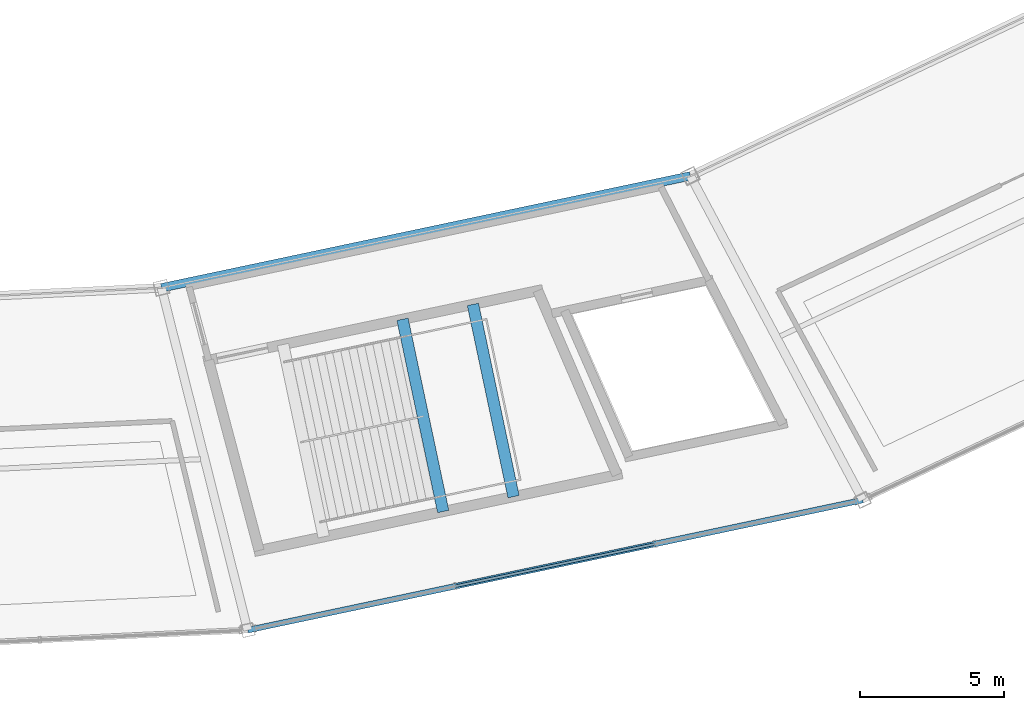
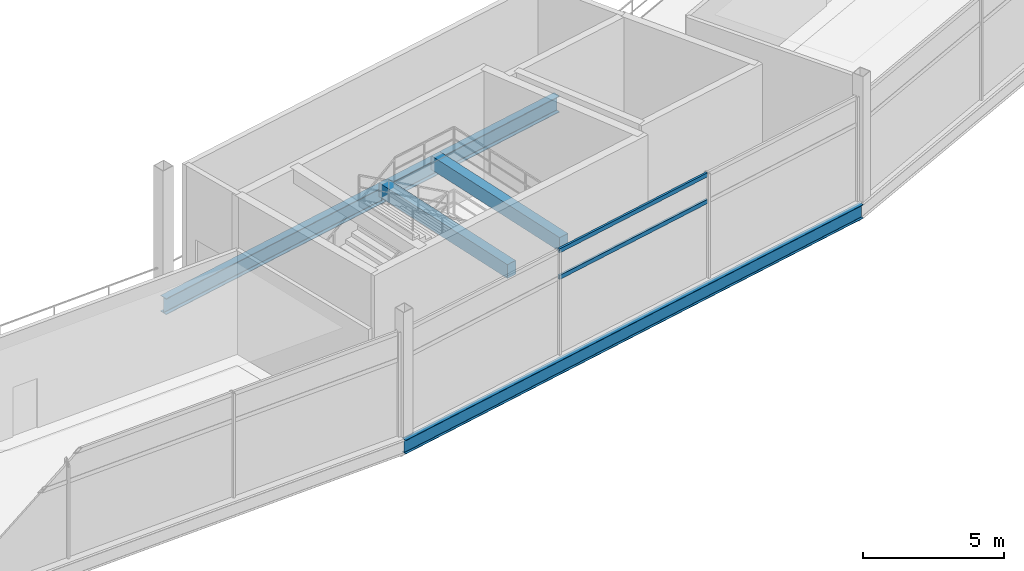
# One storey, part 33 of 103: 4 beams, 2 members, 1 element without a shape of its own.
"""IFC4 building model written with IfcOpenShell, lengths in metres."""

import ifcopenshell
import ifcopenshell.guid

model = None  # the IFC model being written
_history = None  # IfcOwnerHistory: only IFC2X3 demands one
_inside = {}  # id of a spatial element -> (the spatial element, [elements in it])
_under = {}  # id of a project, library or spatial element -> (it, [spatial elements below it])
_declared = {}  # id of a project -> (the project, [libraries it declares])
_typed = {}  # id of a type object -> (the type object, [elements of that type])
_made_of = {}  # id of a material, layer set ... -> (it, [elements and type objects made of it])


def new_model(schema):
    """Start an empty IFC model of exactly this schema.

    Asked for "IFC4X3", IfcOpenShell would pick the latest addendum, in which some entities
    have other attributes; the version numbers below select the first issue.
    IFC2X3 requires an IfcOwnerHistory on every rooted entity: one is made here for all.
    """
    global model, _history
    if schema == "IFC4X3":
        model = ifcopenshell.file(schema_version=(4, 3, 0, 0))
    else:
        model = ifcopenshell.file(schema=schema)
    _inside.clear()
    _under.clear()
    _declared.clear()
    _typed.clear()
    _made_of.clear()
    _history = None
    if model.schema == "IFC2X3":
        org = make("IfcOrganization", Name="unknown")
        user = make(
            "IfcPersonAndOrganization",
            ThePerson=make("IfcPerson", FamilyName="unknown"),
            TheOrganization=org,
        )
        app = make(
            "IfcApplication",
            ApplicationDeveloper=org,
            Version="unknown",
            ApplicationFullName="unknown",
            ApplicationIdentifier="unknown",
        )
        _history = make(
            "IfcOwnerHistory",
            OwningUser=user,
            OwningApplication=app,
            ChangeAction="ADDED",
            CreationDate=0,
        )
    return model


def make(cls, **values):
    """One entity of the class cls with the attributes given. An attribute that is None is left unset."""
    return model.create_entity(
        cls, **{name: value for name, value in values.items() if value is not None}
    )


def rooted(cls, **values):
    """An entity with a GlobalId (a new one), such as an element, a storey or a relation."""
    return make(cls, GlobalId=ifcopenshell.guid.new(), OwnerHistory=_history, **values)


def si_unit(unit_type, name, prefix=None):
    """IfcSIUnit, for example si_unit("LENGTHUNIT", "METRE", prefix="MILLI")."""
    return make("IfcSIUnit", UnitType=unit_type, Prefix=prefix, Name=name)


def assignment(units):
    """IfcUnitAssignment: the units of a project."""
    return None if units is None else make("IfcUnitAssignment", Units=units)


def point(xyz):
    """IfcCartesianPoint."""
    return None if xyz is None else make("IfcCartesianPoint", Coordinates=xyz)


def direction(xyz):
    """IfcDirection."""
    return None if xyz is None else make("IfcDirection", DirectionRatios=xyz)


def frame(location, z_axis=None, x_axis=None):
    """IfcAxis2Placement3D, a coordinate frame: its origin and axes. An axis left out is left unset."""
    return make(
        "IfcAxis2Placement3D",
        Location=point(location),
        Axis=direction(z_axis),
        RefDirection=direction(x_axis),
    )


def frame_2d(location, x_axis=None):
    """IfcAxis2Placement2D, a coordinate frame in the plane: its origin and x axis."""
    return make(
        "IfcAxis2Placement2D", Location=point(location), RefDirection=direction(x_axis)
    )


def origin():
    """The frame at (0, 0, 0) with its axes left unset."""
    return frame((0.0, 0.0, 0.0))


def origin_2d():
    """The frame at (0, 0) in the plane with its x axis left unset."""
    return frame_2d((0.0, 0.0))


def place(relative_to, where):
    """IfcLocalPlacement: puts the frame where relative to a parent placement (None: the world)."""
    return make(
        "IfcLocalPlacement", PlacementRelTo=relative_to, RelativePlacement=where
    )


def context(
    kind, dimensions, precision=None, world=None, true_north=None, identifier=None
):
    """IfcGeometricRepresentationContext, for example the 3D "Model" context."""
    return make(
        "IfcGeometricRepresentationContext",
        ContextIdentifier=identifier,
        ContextType=kind,
        CoordinateSpaceDimension=dimensions,
        Precision=precision,
        WorldCoordinateSystem=world,
        TrueNorth=true_north,
    )


def subcontext(parent, identifier, kind, view, scale=None):
    """IfcGeometricRepresentationSubContext, for example "Body" below "Model"."""
    return make(
        "IfcGeometricRepresentationSubContext",
        ContextIdentifier=identifier,
        ContextType=kind,
        ParentContext=parent,
        TargetScale=scale,
        TargetView=view,
    )


def project(units=None, contexts=None):
    """IfcProject with its units and contexts."""
    return rooted(
        "IfcProject",
        Name="project",
        RepresentationContexts=contexts,
        UnitsInContext=assignment(units),
    )


def spatial(cls, under=None, at=None, **own):
    """A site, building, storey or space (cls), placed at a placement, below another one or the project."""
    s = rooted(cls, ObjectPlacement=at, **own)
    if under is not None:
        _under.setdefault(under.id(), (under, []))[1].append(s)
    return s


def profile(cls, at=None, kind="AREA", **sizes):
    """A parametric profile (cls). Its sizes go by their IFC names, for example OverallWidth=200.0."""
    return make(cls, ProfileType=kind, Position=at, **sizes)


def rectangle(**sizes):
    """IfcRectangleProfileDef."""
    return profile("IfcRectangleProfileDef", **sizes)


def hollow_rectangle(**sizes):
    """IfcRectangleHollowProfileDef."""
    return profile("IfcRectangleHollowProfileDef", **sizes)


def i_section(**sizes):
    """IfcIShapeProfileDef."""
    return profile("IfcIShapeProfileDef", **sizes)


def extrude(swept, where, along, depth):
    """IfcExtrudedAreaSolid: the profile swept, set in the frame where, extruded along a direction by depth."""
    return make(
        "IfcExtrudedAreaSolid",
        SweptArea=swept,
        Position=where,
        ExtrudedDirection=direction(along),
        Depth=depth,
    )


def shape(context_of_items, identifier, shape_type, items):
    """IfcShapeRepresentation: the items that make up one representation, for example the "Body"."""
    return make(
        "IfcShapeRepresentation",
        ContextOfItems=context_of_items,
        RepresentationIdentifier=identifier,
        RepresentationType=shape_type,
        Items=items,
    )


def material(Name=None, Category=None):
    """IfcMaterial."""
    return make("IfcMaterial", Name=Name, Category=Category)


def layer(
    of_material, thickness, ventilated=None, Name=None, Category=None, Priority=None
):
    """IfcMaterialLayer: one layer of a wall or slab, of a material (None: an air gap)."""
    return make(
        "IfcMaterialLayer",
        Material=of_material,
        LayerThickness=thickness,
        IsVentilated=ventilated,
        Name=Name,
        Category=Category,
        Priority=Priority,
    )


def layer_set(layers, Name=None):
    """IfcMaterialLayerSet."""
    return make("IfcMaterialLayerSet", MaterialLayers=layers, LayerSetName=Name)


def material_profile(
    of_material, cross_section, Name=None, Category=None, Priority=None
):
    """IfcMaterialProfile: a cross section and its material."""
    return make(
        "IfcMaterialProfile",
        Name=Name,
        Material=of_material,
        Profile=cross_section,
        Priority=Priority,
        Category=Category,
    )


def profile_set(profiles, Name=None, composite=None):
    """IfcMaterialProfileSet."""
    return make(
        "IfcMaterialProfileSet",
        Name=Name,
        MaterialProfiles=profiles,
        CompositeProfile=composite,
    )


def made_of(thing, what):
    """Note that an element or type object is made of a material, layer set ...; save() writes the relation."""
    if what is not None:
        _made_of.setdefault(what.id(), (what, []))[1].append(thing)
    return thing


def type_object(cls, material=None, **own):
    """A type object (cls), such as IfcWallType, which elements share."""
    return made_of(rooted(cls, **own), material)


def element(
    cls,
    number,
    at=None,
    inside=None,
    cuts=None,
    type_object=None,
    material=None,
    context=None,
    identifier="Body",
    shape_type=None,
    held_by="IfcProductDefinitionShape",
    body=None,
    shapes=None,
    **own,
):
    """One element of the class cls, such as IfcWall. Its Tag is "e" and its number.

    at: its placement. inside: the storey or other place that contains it. cuts: it is an
    opening in that element (IfcRelVoidsElement). A single representation is given by context,
    identifier, shape_type and body (its items); several are given by shapes. held_by: the class
    of the entity that holds the representations. save() writes the other relations.
    """
    e = rooted(cls, Tag="e%d" % number, ObjectPlacement=at, **own)
    if body is not None:
        shapes = [shape(context, identifier, shape_type, body)]
    if shapes is not None:
        e.Representation = make(held_by, Representations=shapes)
    if inside is not None:
        _inside.setdefault(inside.id(), (inside, []))[1].append(e)
    if cuts is not None:
        rooted(
            "IfcRelVoidsElement", RelatingBuildingElement=cuts, RelatedOpeningElement=e
        )
    if type_object is not None:
        _typed.setdefault(type_object.id(), (type_object, []))[1].append(e)
    return made_of(e, material)


def aggregate(whole, parts):
    """IfcRelAggregates: a whole, such as a stair, and the parts it consists of."""
    return rooted("IfcRelAggregates", RelatingObject=whole, RelatedObjects=parts)


def save(model, path):
    """Write the relations noted so far, then the file.

    IfcRelAggregates (storeys below a building ...), IfcRelContainedInSpatialStructure (elements
    in a storey), IfcRelDefinesByType, IfcRelAssociatesMaterial and IfcRelDeclares: one each for
    every whole, place, type object, material and project.
    """
    for whole, parts in _under.values():
        aggregate(whole, parts)
    for where, things in _inside.values():
        rooted(
            "IfcRelContainedInSpatialStructure",
            RelatedElements=things,
            RelatingStructure=where,
        )
    for kind, things in _typed.values():
        rooted("IfcRelDefinesByType", RelatedObjects=things, RelatingType=kind)
    for what, things in _made_of.values():
        rooted("IfcRelAssociatesMaterial", RelatedObjects=things, RelatingMaterial=what)
    for by, libraries in _declared.values():
        rooted("IfcRelDeclares", RelatingContext=by, RelatedDefinitions=libraries)
    model.write(path)


model = new_model("IFC4")

# Units and contexts
model_context = context("Model", 3, precision=1e-05, world=origin(), true_north=direction((0.0, 1.0)))
body_context = subcontext(model_context, "Body", "Model", "MODEL_VIEW")
ifc_project = project(units=[si_unit("LENGTHUNIT", "METRE"), si_unit("AREAUNIT", "SQUARE_METRE"), si_unit("VOLUMEUNIT", "CUBIC_METRE"), si_unit("PLANEANGLEUNIT", "RADIAN"), si_unit("MASSUNIT", "GRAM", prefix="KILO")], contexts=[model_context])

# Site, building, storey
site_placement = place(None, origin())
site = spatial("IfcSite", under=ifc_project, at=site_placement, CompositionType="ELEMENT")
building_placement = place(site_placement, origin())
building = spatial("IfcBuilding", under=site, at=building_placement, Name="Kazemori Nagisa Stadium", CompositionType="ELEMENT")
storey_placement = place(building_placement, frame((0.0, 0.0, 25.840087890625)))
storey = spatial("IfcBuildingStorey", under=building, at=storey_placement, Name="L05", CompositionType="ELEMENT", Elevation=25.840087890625)

# Beams
ifc_material_1 = material(Name="Steel SN490B", Category="steel")
ifc_material_profile_1 = material_profile(ifc_material_1, i_section(OverallWidth=0.300048828125, OverallDepth=0.699951171875, WebThickness=0.012939453125, FlangeThickness=0.02392578125, FilletRadius=0.01806640625, at=origin_2d()), Name="H-700x300x13x24")
ifc_profile_set_1 = profile_set([ifc_material_profile_1], Name="Steel SN490B")
beam_type_1 = type_object("IfcBeamType", Name="Beam_BG-H700", PredefinedType="BEAM", material=ifc_profile_set_1)
beam_1_placement = place(storey_placement, frame((141.427734375, 28.911376953125, -0.610107421875), z_axis=(0.978345149833, 0.206980114499, 0.0), x_axis=(-0.206980114499, 0.978345149833, 0.0)))
element("IfcBeam", 1, at=beam_1_placement, inside=storey, type_object=beam_type_1, Name="Ring girder BG-H700 L05 R2-23", PredefinedType="BEAM", context=body_context, shape_type="SweptSolid", body=[
    extrude(i_section(OverallWidth=0.300048828125, OverallDepth=0.699951171875, WebThickness=0.012939453125, FlangeThickness=0.02392578125, FilletRadius=0.01806640625, at=origin_2d()), origin(), (0.0, 0.0, 1.0), 18.791259765625),
])
ifc_material_2 = material(Name="Concrete C40/50 (Fc42)", Category="concrete")
ifc_material_profile_2 = material_profile(ifc_material_2, rectangle(XDim=0.39990234375, YDim=0.60009765625, at=origin_2d()), Name="RC-BM-400x600")
ifc_profile_set_2 = profile_set([ifc_material_profile_2], Name="Concrete C40/50 (Fc42)")
beam_type_2 = type_object("IfcBeamType", Name="Beam_BG-LND400X600", PredefinedType="BEAM", material=ifc_profile_set_2)
for number, where, z_axis, x_axis, name in (
    (2, (149.8056640625, 27.819091796875, 2.219970703125), (0.206997403527, -0.978341491982, 0.0), (0.978341491982, 0.206997403527, 0.0), "Core stair mid-landing girder ST06-L05-1"),
    (3, (152.251708984375, 28.336669921875, 2.219970703125), (0.206963195966, -0.97834872899, 0.0), (0.97834872899, 0.206963195966, 0.0), "Core stair mid-landing girder ST06-L05-2"),
):
    element("IfcBeam", number, at=place(storey_placement, frame(where, z_axis=z_axis, x_axis=x_axis)), inside=storey, type_object=beam_type_2, Name=name, PredefinedType="BEAM", context=body_context, shape_type="SweptSolid", body=[
        extrude(rectangle(XDim=0.39990234375, YDim=0.60009765625, at=origin_2d()), origin(), (0.0, 0.0, 1.0), 6.831298828125),
    ])
ifc_material_profile_3 = material_profile(ifc_material_1, i_section(OverallWidth=0.199951171875, OverallDepth=0.60009765625, WebThickness=0.010986328125, FlangeThickness=0.01708984375, FilletRadius=0.012939453125, at=origin_2d()), Name="H-600x200x11x17")
ifc_profile_set_3 = profile_set([ifc_material_profile_3], Name="Steel SN490B")
beam_type_3 = type_object("IfcBeamType", Name="Beam_BS-H600", PredefinedType="SPANDREL", material=ifc_profile_set_3)
beam_2_placement = place(storey_placement, frame((144.427734375, 17.01318359375, -0.56005859375), z_axis=(0.97834587432, 0.206976689994, 0.0), x_axis=(-0.206976689994, 0.97834587432, 0.0)))
element("IfcBeam", 4, at=beam_2_placement, inside=storey, type_object=beam_type_3, Name="Ring girder BS-H600 L05 R3-23", PredefinedType="SPANDREL", context=body_context, shape_type="SweptSolid", body=[
    extrude(i_section(OverallWidth=0.199951171875, OverallDepth=0.60009765625, WebThickness=0.010986328125, FlangeThickness=0.01708984375, FilletRadius=0.012939453125, at=origin_2d()), origin(), (0.0, 0.0, 1.0), 21.85009765625),
])

# Curtain wall, members
ifc_material_3 = material(Name="Anodised aluminium 6063-T5", Category="aluminium")
ifc_layer = layer(ifc_material_3, 0.239990234375, Name="Anodised aluminium 6063-T5", Category="aluminium")
ifc_layer_set = layer_set([ifc_layer], Name="Anodised aluminium 6063-T5")
curtain_wall_type = type_object("IfcCurtainWallType", Name="CW_L05R3_107", PredefinedType="USERDEFINED", material=ifc_layer_set)
curtain_wall_placement = place(storey_placement, origin())
curtain_wall = element("IfcCurtainWall", 5, at=curtain_wall_placement, inside=storey, type_object=curtain_wall_type, Name="Unitised curtain wall CW-L05R3-107 L05", ObjectType="UNITISED CURTAIN WALL", PredefinedType="USERDEFINED")
ifc_material_4 = material(Name="Aluminium 6063-T5 anodised", Category="aluminium")
ifc_material_profile_4 = material_profile(ifc_material_4, hollow_rectangle(XDim=0.090087890625, YDim=0.179931640625, WallThickness=0.0048828125, at=origin_2d()), Name="ALU-TRAN-90x180x5")
ifc_profile_set_4 = profile_set([ifc_material_profile_4], Name="Aluminium 6063-T5 anodised")
member_type = type_object("IfcMemberType", Name="Transom_T03", PredefinedType="USERDEFINED", material=ifc_profile_set_4)
member_1_placement = place(storey_placement, frame((151.656005859375, 18.54248046875, 3.306884765625), z_axis=(0.978344595915, 0.206982732721, 0.0), x_axis=(-0.206982732721, 0.978344595915, 0.0)))
member_1 = element("IfcMember", 6, at=member_1_placement, type_object=member_type, Name="Curtain wall transom CW-L05R3-107-T2-mid", ObjectType="TRANSOM", PredefinedType="USERDEFINED", context=body_context, shape_type="SweptSolid", body=[
    extrude(hollow_rectangle(XDim=0.090087890625, YDim=0.179931640625, WallThickness=0.0048828125, at=origin_2d()), origin(), (0.0, 0.0, 1.0), 7.073486328125),
])
member_2_placement = place(storey_placement, frame((151.656005859375, 18.54248046875, 4.4599609375), z_axis=(0.978344595915, 0.206982732721, 0.0), x_axis=(-0.206982732721, 0.978344595915, 0.0)))
member_2 = element("IfcMember", 7, at=member_2_placement, type_object=member_type, Name="Curtain wall transom CW-L05R3-107-T2-head", ObjectType="TRANSOM", PredefinedType="USERDEFINED", context=body_context, shape_type="SweptSolid", body=[
    extrude(hollow_rectangle(XDim=0.090087890625, YDim=0.179931640625, WallThickness=0.0048828125, at=origin_2d()), origin(), (0.0, 0.0, 1.0), 7.073486328125),
])
aggregate(curtain_wall, [member_1, member_2])

save(model, "model.ifc")
